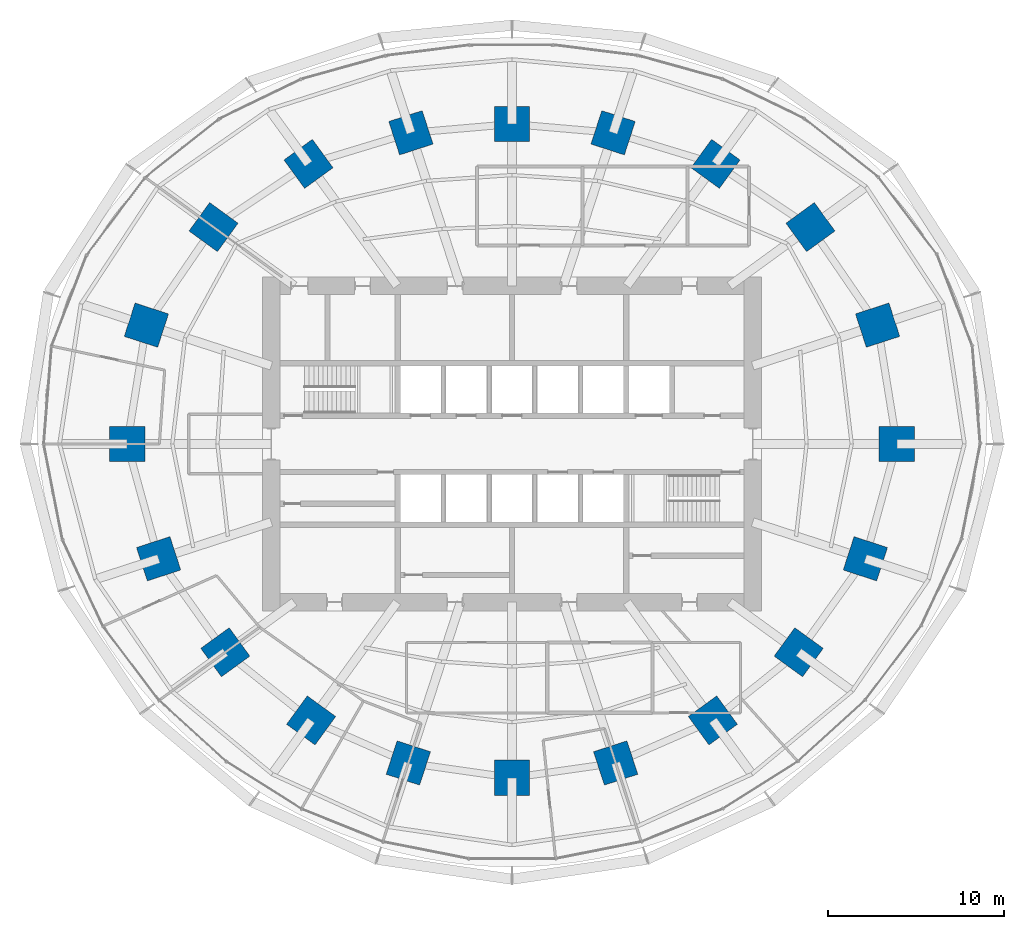
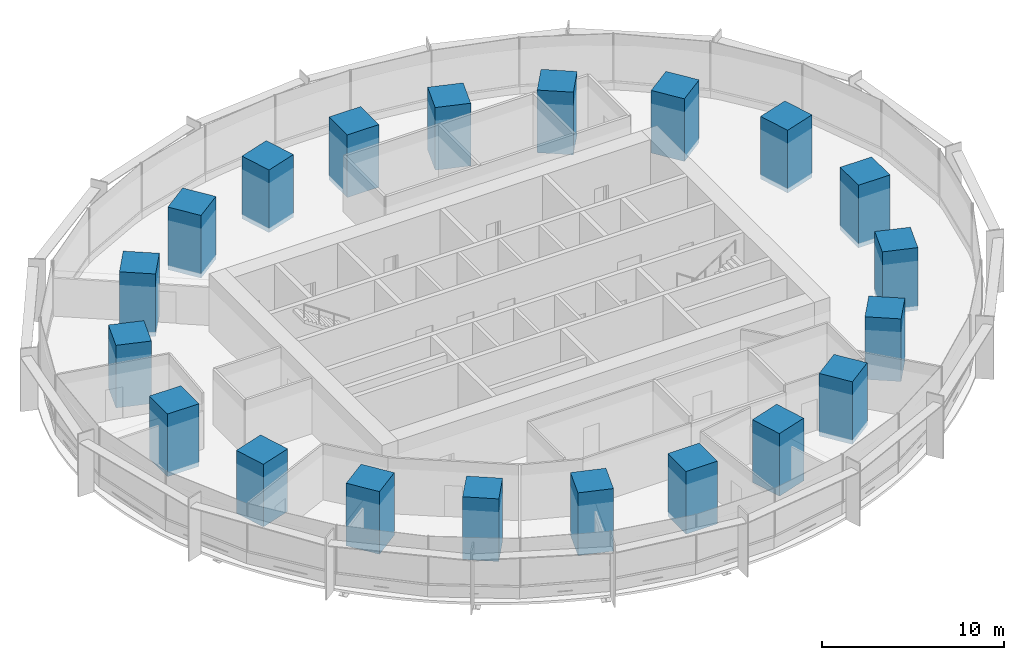
# One storey, part 1 of 15: 20 columns.
"""IFC4 building model written with IfcOpenShell, lengths in metres."""

from ifc_helpers import new_model, si_unit, direction, frame, origin, origin_2d, place, context, subcontext, project, spatial, rectangle, extrude, material, material_profile, profile_set, type_object, element, save


model = new_model("IFC4")

# Units and contexts
model_context = context("Model", 3, precision=1e-05, world=origin(), true_north=direction((0.0, 1.0)))
body_context = subcontext(model_context, "Body", "Model", "MODEL_VIEW")
ifc_project = project(units=[si_unit("LENGTHUNIT", "METRE"), si_unit("AREAUNIT", "SQUARE_METRE"), si_unit("VOLUMEUNIT", "CUBIC_METRE"), si_unit("PLANEANGLEUNIT", "RADIAN"), si_unit("MASSUNIT", "GRAM", prefix="KILO")], contexts=[model_context])

# Site, building, storey
site_placement = place(None, origin())
site = spatial("IfcSite", under=ifc_project, at=site_placement, CompositionType="ELEMENT")
building_placement = place(site_placement, origin())
building = spatial("IfcBuilding", under=site, at=building_placement, Name="Marramba Exchange Tower", CompositionType="ELEMENT")
storey_placement = place(building_placement, frame((0.0, 0.0, 61.60009765625)))
storey = spatial("IfcBuildingStorey", under=building, at=storey_placement, Name="L14", CompositionType="ELEMENT", Elevation=61.60009765625)

# Columns
ifc_material = material(Name="Concrete N50", Category="concrete")
ifc_material_profile = material_profile(ifc_material, rectangle(XDim=2.0, YDim=2.0, at=origin_2d()), Name="RC 2000x2000")
ifc_profile_set = profile_set([ifc_material_profile], Name="Concrete N50")
column_type = type_object("IfcColumnType", Name="Perimeter column RC 2000x2000 N50", PredefinedType="COLUMN", material=ifc_profile_set)
for number, where, z_axis, x_axis, name in (
    (1, (21.89990234375, 0.0, 0.0), (0.0, 0.0, 1.0), (1.0, 0.0, 0.0), "Column TC01 L14"),
    (2, (20.808349609375, 6.760986328125, 0.0), (0.0, 0.0, 1.0), (0.951056516295, 0.309016994375, 0.0), "Column TC02 L14"),
    (3, (16.98583984375, 12.3408203125, 0.0), (0.0, 0.0, 1.0), (0.809016994375, 0.587785252292, 0.0), "Column TC03 L14"),
    (4, (11.581298828125, 15.9404296875, 0.0), (0.0, 0.0, 1.0), (0.587785252292, 0.809016994375, 0.0), "Column TC04 L14"),
    (5, (5.75390625, 17.70849609375, 0.0), (0.0, 0.0, 1.0), (0.309016994375, 0.951056516295, 0.0), "Column TC05 L14"),
    (6, (0.0, 18.2041015625, 0.0), (0.0, 0.0, 1.0), (0.0, 1.0, 0.0), "Column TC06 L14"),
    (7, (-5.75390625, 17.70849609375, 0.0), (0.0, 0.0, 1.0), (-0.309016994375, 0.951056516295, 0.0), "Column TC07 L14"),
    (8, (-11.581298828125, 15.9404296875, 0.0), (0.0, 0.0, 1.0), (-0.587785252292, 0.809016994375, 0.0), "Column TC08 L14"),
    (9, (-16.98583984375, 12.3408203125, 0.0), (0.0, 0.0, 1.0), (-0.809016994375, 0.587785252292, 0.0), "Column TC09 L14"),
    (10, (-20.808349609375, 6.760986328125, 0.0), (0.0, 0.0, 1.0), (-0.951056516295, 0.309016994375, 0.0), "Column TC10 L14"),
    (11, (-21.89990234375, 0.0, 0.0), (0.0, 0.0, 1.0), (-1.0, 0.0, 0.0), "Column TC11 L14"),
    (12, (-20.109375, -6.533935546875, 0.0), (0.0, 0.0, 1.0), (-0.951056516295, -0.309016994375, 0.0), "Column TC12 L14"),
    (13, (-16.3154296875, -11.853759765625, 0.0), (0.0, 0.0, 1.0), (-0.809016994375, -0.587785252292, 0.0), "Column TC13 L14"),
    (14, (-11.430419921875, -15.732666015625, 0.0), (0.0, 0.0, 1.0), (-0.587785252292, -0.809016994375, 0.0), "Column TC14 L14"),
    (15, (-5.899658203125, -18.156982421875, 0.0), (0.0, 0.0, 1.0), (-0.309016994375, -0.951056516295, 0.0), "Column TC15 L14"),
    (16, (0.0, -18.99609375, 0.0), (0.0, 0.0, 1.0), (0.0, -1.0, 0.0), "Column TC16 L14"),
    (17, (5.899658203125, -18.156982421875, 0.0), (0.0, 0.0, 1.0), (0.309016994375, -0.951056516295, 0.0), "Column TC17 L14"),
    (18, (11.430419921875, -15.732666015625, 0.0), (0.0, 0.0, 1.0), (0.587785252292, -0.809016994375, 0.0), "Column TC18 L14"),
    (19, (16.3154296875, -11.853759765625, 0.0), (0.0, 0.0, 1.0), (0.809016994375, -0.587785252292, 0.0), "Column TC19 L14"),
    (20, (20.109375, -6.533935546875, 0.0), (0.0, 0.0, 1.0), (0.951056516295, -0.309016994375, 0.0), "Column TC20 L14"),
):
    element("IfcColumn", number, at=place(storey_placement, frame(where, z_axis=z_axis, x_axis=x_axis)), inside=storey, type_object=column_type, Name=name, PredefinedType="COLUMN", context=body_context, shape_type="SweptSolid", body=[
        extrude(rectangle(XDim=2.0, YDim=2.0, at=origin_2d()), origin(), (0.0, 0.0, 1.0), 4.199951171875),
    ])

save(model, "model.ifc")
